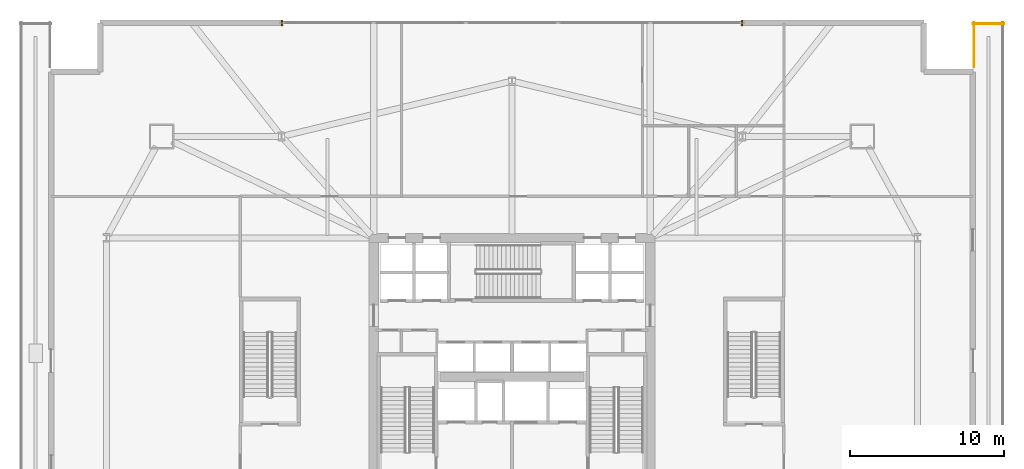
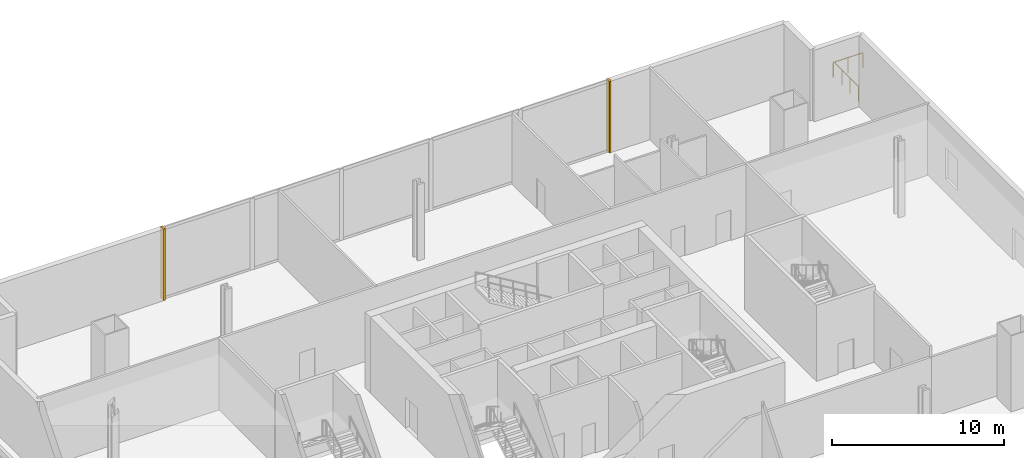
# One storey, part 20 of 20: 2 coverings, 2 railings.
"""IFC4 building model written with IfcOpenShell, lengths in metres."""

from ifc_helpers import new_model, si_unit, direction, frame, origin, origin_2d, place, context, subcontext, project, spatial, rectangle, extrude, source, transform, mapped, material, layer, layer_set, type_object, element, save


model = new_model("IFC4")

# Units and contexts
model_context = context("Model", 3, precision=1e-05, world=origin(), true_north=direction((0.0, 1.0)))
body_context = subcontext(model_context, "Body", "Model", "MODEL_VIEW")
ifc_project = project(units=[si_unit("LENGTHUNIT", "METRE"), si_unit("AREAUNIT", "SQUARE_METRE"), si_unit("VOLUMEUNIT", "CUBIC_METRE"), si_unit("PLANEANGLEUNIT", "RADIAN"), si_unit("MASSUNIT", "GRAM", prefix="KILO")], contexts=[model_context])

# Site, building, storey
site_placement = place(None, origin())
site = spatial("IfcSite", under=ifc_project, at=site_placement, CompositionType="ELEMENT")
building_placement = place(site_placement, origin())
building = spatial("IfcBuilding", under=site, at=building_placement, Name="Haldenkirk Collegiate Tower", CompositionType="ELEMENT")
storey_placement = place(building_placement, frame((0.0, 0.0, 6.0)))
storey = spatial("IfcBuildingStorey", under=building, at=storey_placement, Name="L01", CompositionType="ELEMENT", Elevation=6.0)

# Railings
ifc_material = material(Name="Anodised architectural bronze aluminium", Category="aluminium")
railing_type = type_object("IfcRailingType", Name="RLG-TERR-BALUSTRADE-1100", PredefinedType="BALUSTRADE", material=ifc_material)
railing_1_placement = place(storey_placement, frame((68.0, 47.93994140625, 0.0)))
element("IfcRailing", 1, at=railing_1_placement, inside=storey, type_object=railing_type, Name="L01 terrace guard balustrade 3-1", PredefinedType="BALUSTRADE", context=body_context, shape_type="SweptSolid", body=[
    extrude(rectangle(XDim=0.048095703125, YDim=0.048095703125, at=origin_2d()), frame((0.0, 0.0, 1.076171875), z_axis=(-1.0, 0.0, 0.0), x_axis=(0.0, -1.0, 0.0)), (0.0, 0.0, 1.0), 2.0),
    extrude(rectangle(XDim=0.0419921875, YDim=0.0419921875, at=origin_2d()), origin(), (0.0, 0.0, 1.0), 1.052001953125),
    extrude(rectangle(XDim=0.0419921875, YDim=0.0419921875, at=origin_2d()), frame((-1.0, 0.0, 0.0)), (0.0, 0.0, 1.0), 1.052001953125),
    extrude(rectangle(XDim=0.0419921875, YDim=0.0419921875, at=origin_2d()), frame((-2.0, 0.0, 0.0)), (0.0, 0.0, 1.0), 1.052001953125),
])
railing_2_placement = place(storey_placement, frame((66.06005859375, 48.0, 0.0)))
element("IfcRailing", 2, at=railing_2_placement, inside=storey, type_object=railing_type, Name="L01 terrace guard balustrade 4-1", PredefinedType="BALUSTRADE", context=body_context, shape_type="SweptSolid", body=[
    extrude(rectangle(XDim=0.048095703125, YDim=0.048095703125, at=origin_2d()), frame((0.0, 0.0, 1.076171875), z_axis=(0.0, -1.0, 0.0), x_axis=(1.0, 0.0, 0.0)), (0.0, 0.0, 1.0), 2.8798828125),
    extrude(rectangle(XDim=0.0419921875, YDim=0.0419921875, at=origin_2d()), origin(), (0.0, 0.0, 1.0), 1.052001953125),
    extrude(rectangle(XDim=0.0419921875, YDim=0.0419921875, at=origin_2d()), frame((0.0, -0.9599609375, 0.0)), (0.0, 0.0, 1.0), 1.052001953125),
    extrude(rectangle(XDim=0.0419921875, YDim=0.0419921875, at=origin_2d()), frame((0.0, -1.919921875, 0.0)), (0.0, 0.0, 1.0), 1.052001953125),
    extrude(rectangle(XDim=0.0419921875, YDim=0.0419921875, at=origin_2d()), frame((0.0, -2.8798828125, 0.0)), (0.0, 0.0, 1.0), 1.052001953125),
])

# Coverings
ifc_layer = layer(ifc_material, 0.06005859375)
ifc_layer_set = layer_set([ifc_layer], Name="Anodised architectural bronze aluminium")
covering_type = type_object("IfcCoveringType", Name="COV-CLAD-BRONZE-60", PredefinedType="CLADDING", material=ifc_layer_set)
shared_shape = source(origin(), body_context, "Body", "SweptSolid", [
    extrude(rectangle(XDim=0.1201171875, YDim=0.360107421875, at=origin_2d()), origin(), (0.0, 0.0, 1.0), 5.070068359375),
])
for number, where, z_axis, x_axis, name in (
    (3, (21.031982421875, 48.0, 0.0), (0.0, 0.0, 1.0), (1.0, 0.0, 0.0), "L01 podium curtain-wall bronze jamb closure 7JL"),
    (4, (50.968017578125, 48.0, 0.0), (0.0, 0.0, 1.0), (1.0, 0.0, 0.0), "L01 podium curtain-wall bronze jamb closure 7JR"),
):
    element("IfcCovering", number, at=place(storey_placement, frame(where, z_axis=z_axis, x_axis=x_axis)), inside=storey, type_object=covering_type, Name=name, PredefinedType="CLADDING", context=body_context, shape_type="MappedRepresentation", body=[
        mapped(shared_shape, transform((0.0, 0.0, 0.0), x_axis=(1.0, 0.0, 0.0), y_axis=(0.0, 1.0, 0.0), z_axis=(0.0, 0.0, 1.0), scale=1.0)),
    ])

save(model, "model.ifc")
